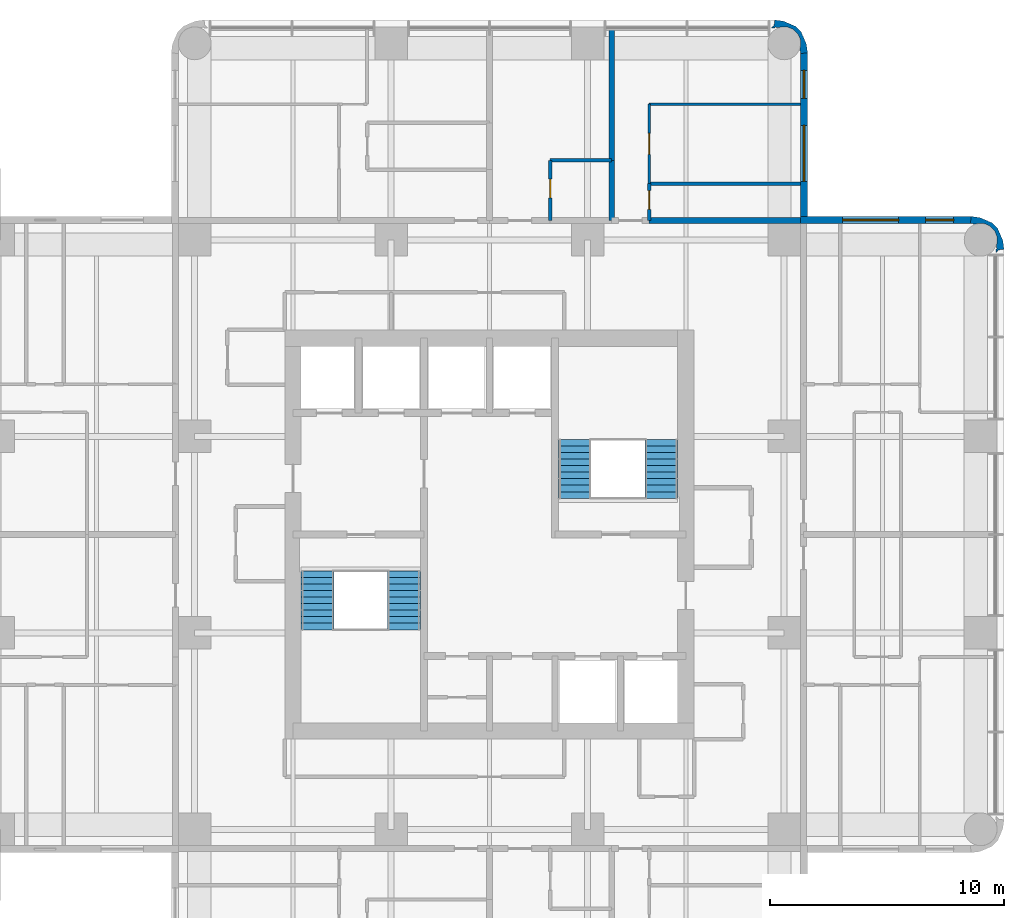
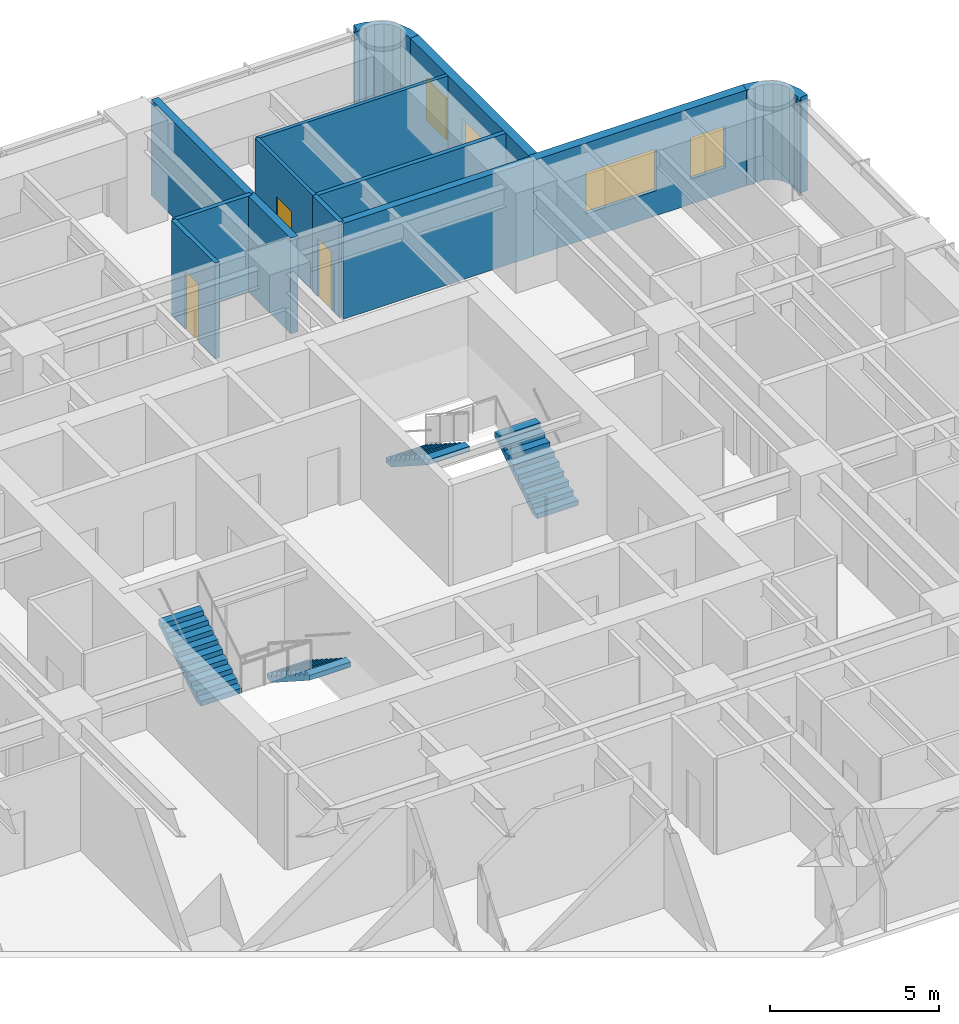
# One storey, part 10 of 11: 13 walls, 4 stair flights, 4 windows, 3 doors, 7 openings, 2 elements without a shape of their own.
"""IFC4 building model written with IfcOpenShell, lengths in metres."""

from ifc_helpers import new_model, si_unit, direction, frame, frame_2d, origin, place, context, subcontext, project, spatial, polyline, rectangle, outline, extrude, material, layer, layer_set, type_object, element, fill, aggregate, save


model = new_model("IFC4")

# Units and contexts
model_context = context("Model", 3, precision=1e-05, world=origin(), true_north=direction((0.0, 1.0)))
body_context = subcontext(model_context, "Body", "Model", "MODEL_VIEW")
ifc_project = project(units=[si_unit("LENGTHUNIT", "METRE"), si_unit("AREAUNIT", "SQUARE_METRE"), si_unit("VOLUMEUNIT", "CUBIC_METRE"), si_unit("PLANEANGLEUNIT", "RADIAN"), si_unit("MASSUNIT", "GRAM", prefix="KILO")], contexts=[model_context])

# Site, building, storey
site_placement = place(None, origin())
site = spatial("IfcSite", under=ifc_project, at=site_placement, CompositionType="ELEMENT")
building_placement = place(site_placement, origin())
building = spatial("IfcBuilding", under=site, at=building_placement, Name="Torre Alcanfor", CompositionType="ELEMENT")
storey_placement = place(building_placement, frame((0.0, 0.0, 204.89990234375)))
storey = spatial("IfcBuildingStorey", under=building, at=storey_placement, Name="L53", CompositionType="ELEMENT", Elevation=204.89990234375)

# Walls
ifc_material_1 = material(Name="Concrete block masonry, hollow blocks NMX-C-404 9 MPa", Category="masonry")
ifc_layer_1 = layer(ifc_material_1, 0.25)
ifc_layer_set_1 = layer_set([ifc_layer_1], Name="Apartment entrance wall 250 EI 60")
wall_type_1 = type_object("IfcWallType", Name="Apartment entrance wall 250 EI 60", PredefinedType="PARTITIONING", material=ifc_layer_set_1)
wall_1_placement = place(storey_placement, frame((36.22900390625, 42.824951171875, 0.0), z_axis=(0.0, 0.0, 1.0), x_axis=(1.0, 0.0, 0.0)))
element("IfcWall", 1, at=wall_1_placement, inside=storey, type_object=wall_type_1, Name="Partition L53-CORR / L53-N2B-BATH", PredefinedType="PARTITIONING", context=body_context, shape_type="SweptSolid", body=[
    extrude(rectangle(XDim=6.470947265625, YDim=0.25, at=frame_2d((3.2353515625, 0.0))), origin(), (0.0, 0.0, 1.0), 3.4501953125),
])
ifc_material_2 = material(Name="Gypsum board on steel studs", Category="steel")
ifc_layer_2 = layer(ifc_material_2, 0.1201171875)
ifc_layer_set_2 = layer_set([ifc_layer_2], Name="Apartment partition 120")
wall_type_2 = type_object("IfcWallType", Name="Apartment partition 120", PredefinedType="PARTITIONING", material=ifc_layer_set_2)
wall_2_placement = place(storey_placement, frame((42.699951171875, 47.800048828125, 0.0), z_axis=(0.0, 0.0, 1.0), x_axis=(-1.0, 0.0, 0.0)))
element("IfcWall", 2, at=wall_2_placement, inside=storey, type_object=wall_type_2, Name="Partition L53-N2B-LIVING / L53-N2B-MASTER", PredefinedType="PARTITIONING", context=body_context, shape_type="SweptSolid", body=[
    extrude(rectangle(XDim=6.470947265625, YDim=0.1201171875, at=frame_2d((3.2353515625, 0.0))), origin(), (0.0, 0.0, 1.0), 3.4501953125),
])

# Wall, opening, door
wall_3_placement = place(storey_placement, frame((36.22900390625, 47.800048828125, 0.0), z_axis=(0.0, 0.0, 1.0), x_axis=(0.0, -1.0, 0.0)))
wall_3 = element("IfcWall", 3, at=wall_3_placement, inside=storey, type_object=wall_type_2, Name="Partition L53-N2B-LIVING / L53-N2B-MASTER", PredefinedType="PARTITIONING", context=body_context, shape_type="SweptSolid", body=[
    extrude(rectangle(XDim=3.400146484375, YDim=0.1201171875, at=frame_2d((1.7001953125, 0.0))), origin(), (0.0, 0.0, 1.0), 3.4501953125),
])
opening_1_placement = place(wall_3_placement, frame((1.25, 0.0, 0.0)))
opening_1 = element("IfcOpeningElement", 4, at=opening_1_placement, cuts=wall_3, Name="Opening D-R1", PredefinedType="OPENING", context=body_context, shape_type="SweptSolid", body=[
    extrude(rectangle(XDim=0.89990234375, YDim=2.10009765625, at=frame_2d((0.449951171875, 1.050048828125))), frame((0.0, 0.070068359375, 0.0), z_axis=(0.0, -1.0, 0.0), x_axis=(1.0, 0.0, 0.0)), (0.0, 0.0, 1.0), 0.14013671875),
])
ifc_material_3 = material(Name="Timber", Category="wood")
door_type_1 = type_object("IfcDoorType", Name="Internal door 900x2100", OperationType="SINGLE_SWING_LEFT", PredefinedType="DOOR", material=ifc_material_3)
door_1_placement = place(opening_1_placement, origin())
door_1 = element("IfcDoor", 5, at=door_1_placement, inside=storey, type_object=door_type_1, Name="Door L53-N2B master", OperationType="SINGLE_SWING_LEFT", OverallHeight=2.10009765625, OverallWidth=0.89990234375, PredefinedType="DOOR", context=body_context, shape_type="SweptSolid", body=[
    extrude(rectangle(XDim=0.89990234375, YDim=2.10009765625, at=frame_2d((0.449951171875, 1.050048828125))), frame((0.0, 0.02490234375, 0.0), z_axis=(0.0, -1.0, 0.0), x_axis=(1.0, 0.0, 0.0)), (0.0, 0.0, 1.0), 0.050048828125),
])
fill(opening_1, door_1)

# Wall, openings, windows
ifc_material_4 = material(Name="Limestone cladding", Category="masonry")
ifc_layer_3 = layer(ifc_material_4, 0.0400390625, Name="Facing")
ifc_material_5 = material(Name="Ventilated air cavity")
ifc_layer_4 = layer(ifc_material_5, 0.02001953125, ventilated=True, Name="Ventilated joint")
ifc_material_6 = material(Name="Mineral wool insulation", Category="insulation")
ifc_layer_5 = layer(ifc_material_6, 0.10009765625, Name="Insulation")
ifc_material_7 = material(Name="Concrete f'c 35 MPa", Category="concrete")
ifc_layer_6 = layer(ifc_material_7, 0.139892578125, Name="Backing")
ifc_layer_set_3 = layer_set([ifc_layer_3, ifc_layer_4, ifc_layer_5, ifc_layer_6], Name="External wall stone-clad 300")
wall_type_3 = type_object("IfcWallType", Name="External wall stone-clad 300", PredefinedType="SOLIDWALL", material=ifc_layer_set_3)
wall_4_placement = place(storey_placement, frame((50.0, 42.85009765625, 0.0), z_axis=(0.0, 0.0, 1.0), x_axis=(-1.0, 0.0, 0.0)))
wall_4 = element("IfcWall", 6, at=wall_4_placement, inside=storey, type_object=wall_type_3, Name="External wall L53 9", PredefinedType="SOLIDWALL", context=body_context, shape_type="SweptSolid", body=[
    extrude(rectangle(XDim=7.300048828125, YDim=0.300048828125, at=frame_2d((3.64990234375, 0.0))), origin(), (0.0, 0.0, 1.0), 3.4501953125),
])
opening_2_placement = place(wall_4_placement, frame((3.10009765625, 0.0, 0.89990234375)))
opening_2 = element("IfcOpeningElement", 7, at=opening_2_placement, cuts=wall_4, Name="Opening W1", PredefinedType="OPENING", context=body_context, shape_type="SweptSolid", body=[
    extrude(rectangle(XDim=2.39990234375, YDim=1.5, at=frame_2d((1.199951171875, 0.75))), frame((0.0, 0.159912109375, 0.0), z_axis=(0.0, -1.0, 0.0), x_axis=(1.0, 0.0, 0.0)), (0.0, 0.0, 1.0), 0.320068359375),
])
opening_3_placement = place(wall_4_placement, frame((0.75, 0.0, 0.89990234375)))
opening_3 = element("IfcOpeningElement", 8, at=opening_3_placement, cuts=wall_4, Name="Opening W4", PredefinedType="OPENING", context=body_context, shape_type="SweptSolid", body=[
    extrude(rectangle(XDim=1.199951171875, YDim=1.5, at=frame_2d((0.60009765625, 0.75))), frame((0.0, 0.159912109375, 0.0), z_axis=(0.0, -1.0, 0.0), x_axis=(1.0, 0.0, 0.0)), (0.0, 0.0, 1.0), 0.320068359375),
])
ifc_material_8 = material(Name="Aluminium frame with clear double glazing", Category="aluminium")
window_type_1 = type_object("IfcWindowType", Name="Window bedroom 1200x1500", PartitioningType="SINGLE_PANEL", PredefinedType="WINDOW", material=ifc_material_8)
window_1_placement = place(opening_3_placement, origin())
window_1 = element("IfcWindow", 9, at=window_1_placement, inside=storey, type_object=window_type_1, Name="Window W4 L53-E1", OverallHeight=1.5, OverallWidth=1.199951171875, PartitioningType="SINGLE_PANEL", PredefinedType="WINDOW", context=body_context, shape_type="SweptSolid", body=[
    extrude(rectangle(XDim=1.199951171875, YDim=1.5, at=frame_2d((0.60009765625, 0.75))), frame((0.0, 0.030029296875, 0.0), z_axis=(0.0, -1.0, 0.0), x_axis=(1.0, 0.0, 0.0)), (0.0, 0.0, 1.0), 0.06005859375),
])
fill(opening_3, window_1)
ifc_material_9 = material(Name="Aluminium frame with clear double glazing", Category="aluminium")
window_type_2 = type_object("IfcWindowType", Name="Window bedroom 2400x1500", PartitioningType="SINGLE_PANEL", PredefinedType="WINDOW", material=ifc_material_9)
window_2_placement = place(opening_2_placement, origin())
window_2 = element("IfcWindow", 10, at=window_2_placement, inside=storey, type_object=window_type_2, Name="Window W1 L53-E1", OverallHeight=1.5, OverallWidth=2.39990234375, PartitioningType="SINGLE_PANEL", PredefinedType="WINDOW", context=body_context, shape_type="SweptSolid", body=[
    extrude(rectangle(XDim=2.39990234375, YDim=1.5, at=frame_2d((1.199951171875, 0.75))), frame((0.0, 0.030029296875, 0.0), z_axis=(0.0, -1.0, 0.0), x_axis=(1.0, 0.0, 0.0)), (0.0, 0.0, 1.0), 0.06005859375),
])
fill(opening_2, window_2)

wall_5_placement = place(storey_placement, frame((42.85009765625, 43.0, 0.0), z_axis=(0.0, 0.0, 1.0), x_axis=(0.0, 1.0, 0.0)))
wall_5 = element("IfcWall", 11, at=wall_5_placement, inside=storey, type_object=wall_type_3, Name="External wall L53 10", PredefinedType="SOLIDWALL", context=body_context, shape_type="SweptSolid", body=[
    extrude(rectangle(XDim=7.0, YDim=0.300048828125, at=frame_2d((3.5, 0.0))), origin(), (0.0, 0.0, 1.0), 3.4501953125),
])
opening_4_placement = place(wall_5_placement, frame((1.5, 0.0, 0.89990234375)))
opening_4 = element("IfcOpeningElement", 12, at=opening_4_placement, cuts=wall_5, Name="Opening W1", PredefinedType="OPENING", context=body_context, shape_type="SweptSolid", body=[
    extrude(rectangle(XDim=2.39990234375, YDim=1.5, at=frame_2d((1.199951171875, 0.75))), frame((0.0, 0.159912109375, 0.0), z_axis=(0.0, -1.0, 0.0), x_axis=(1.0, 0.0, 0.0)), (0.0, 0.0, 1.0), 0.320068359375),
])
opening_5_placement = place(wall_5_placement, frame((5.050048828125, 0.0, 0.89990234375)))
opening_5 = element("IfcOpeningElement", 13, at=opening_5_placement, cuts=wall_5, Name="Opening W4", PredefinedType="OPENING", context=body_context, shape_type="SweptSolid", body=[
    extrude(rectangle(XDim=1.199951171875, YDim=1.5, at=frame_2d((0.60009765625, 0.75))), frame((0.0, 0.159912109375, 0.0), z_axis=(0.0, -1.0, 0.0), x_axis=(1.0, 0.0, 0.0)), (0.0, 0.0, 1.0), 0.320068359375),
])
window_3_placement = place(opening_5_placement, origin())
window_3 = element("IfcWindow", 14, at=window_3_placement, inside=storey, type_object=window_type_1, Name="Window W4 L53-N2", OverallHeight=1.5, OverallWidth=1.199951171875, PartitioningType="SINGLE_PANEL", PredefinedType="WINDOW", context=body_context, shape_type="SweptSolid", body=[
    extrude(rectangle(XDim=1.199951171875, YDim=1.5, at=frame_2d((0.60009765625, 0.75))), frame((0.0, 0.030029296875, 0.0), z_axis=(0.0, -1.0, 0.0), x_axis=(1.0, 0.0, 0.0)), (0.0, 0.0, 1.0), 0.06005859375),
])
fill(opening_5, window_3)
window_4_placement = place(opening_4_placement, origin())
window_4 = element("IfcWindow", 15, at=window_4_placement, inside=storey, type_object=window_type_2, Name="Window W1 L53-N2", OverallHeight=1.5, OverallWidth=2.39990234375, PartitioningType="SINGLE_PANEL", PredefinedType="WINDOW", context=body_context, shape_type="SweptSolid", body=[
    extrude(rectangle(XDim=2.39990234375, YDim=1.5, at=frame_2d((1.199951171875, 0.75))), frame((0.0, 0.030029296875, 0.0), z_axis=(0.0, -1.0, 0.0), x_axis=(1.0, 0.0, 0.0)), (0.0, 0.0, 1.0), 0.06005859375),
])
fill(opening_4, window_4)

# Walls
ifc_material_10 = material(Name="Concrete block masonry, hollow blocks NMX-C-404 9 MPa", Category="masonry")
ifc_layer_7 = layer(ifc_material_10, 0.25)
ifc_layer_set_4 = layer_set([ifc_layer_7], Name="Party wall 250 EI 60")
wall_type_4 = type_object("IfcWallType", Name="Party wall 250 EI 60", PredefinedType="PARTITIONING", material=ifc_layer_set_4)
wall_6_placement = place(storey_placement, frame((34.62890625, 51.050048828125, 0.0), z_axis=(0.0, 0.0, 1.0), x_axis=(0.0, -1.0, 0.0)))
element("IfcWall", 16, at=wall_6_placement, inside=storey, type_object=wall_type_4, Name="Partition L53-N2A-STUDIO / L53-N2B-LIVING", PredefinedType="PARTITIONING", context=body_context, shape_type="SweptSolid", body=[
    extrude(rectangle(XDim=5.650146484375, YDim=0.25, at=frame_2d((2.8251953125, 0.0))), origin(), (0.0, 0.0, 1.0), 3.4501953125),
])
wall_7_placement = place(storey_placement, frame((34.62890625, 45.39990234375, 0.0), z_axis=(0.0, 0.0, 1.0), x_axis=(0.0, -1.0, 0.0)))
element("IfcWall", 17, at=wall_7_placement, inside=storey, type_object=wall_type_4, Name="Partition L53-N2A-BATH / L53-N2B-LIVING", PredefinedType="PARTITIONING", context=body_context, shape_type="SweptSolid", body=[
    extrude(rectangle(XDim=2.574951171875, YDim=0.25, at=frame_2d((1.28759765625, 0.0))), origin(), (0.0, 0.0, 1.0), 3.4501953125),
])
ifc_layer_8 = layer(ifc_material_4, 0.0400390625, Name="Facing")
ifc_layer_9 = layer(ifc_material_5, 0.02001953125, ventilated=True, Name="Ventilated joint")
ifc_layer_10 = layer(ifc_material_6, 0.10009765625, Name="Insulation")
ifc_layer_11 = layer(ifc_material_7, 0.139892578125, Name="Backing")
ifc_layer_set_5 = layer_set([ifc_layer_8, ifc_layer_9, ifc_layer_10, ifc_layer_11], Name="Rounded corner pier stone-clad 300")
wall_type_5 = type_object("IfcWallType", Name="Rounded corner pier stone-clad 300", PredefinedType="SOLIDWALL", material=ifc_layer_set_5)
wall_8_placement = place(storey_placement, frame((50.98815184, 41.487674505, 0.0), z_axis=(0.0, 0.0, 1.0), x_axis=(0.898030234854, 0.439933741929, 0.0)))
element("IfcWall", 18, at=wall_8_placement, inside=storey, type_object=wall_type_5, Name="Corner pier L53 18", PredefinedType="SOLIDWALL", context=body_context, shape_type="SweptSolid", body=[
    extrude(outline(polyline([(0.13762845900144902, -0.0395605783475044), (0.18185793649134802, -0.00033087416050568697), (0.41922313919285215, -0.08018355093564442), (0.535860291835806, 0.2661211239178742), (0.5587746083679793, 0.6308813409414961), (0.5545700157158291, 0.6511558966825934), (0.5663920082639611, 0.8356681075750403), (0.45545119814889223, 1.159160361177863), (0.33312688681130387, 1.297925592490813), (0.32402252373636403, 1.3165225487705126), (0.08234923743790223, 1.5906923948786469), (-0.22206721491752535, 1.7928353560160377), (-0.38958661601048106, 1.540782159618673), (-0.3718277173231749, 1.5320822980229156), (-0.19464371431186422, 1.4142897687749243), (-0.11970407362674929, 1.4096575385515544), (0.13067447329798665, 1.2870002306212465), (0.31526160288378063, 1.0777694581339308), (0.4057356995697948, 0.8140544036891404), (0.38812563637514036, 0.5355946934281371), (0.26546832844483254, 0.28521614650340116), (0.2089867161004748, 0.23540500505176065), (0.14757776297591008, 0.05289210976982966), (0.10504410439149783, 0.07372881532016215), (0.03190082356790798, -0.07557748105089318), (0.13762845900144902, -0.0395605783475044)])), origin(), (0.0, 0.0, 1.0), 3.4501953125),
])
wall_9_placement = place(storey_placement, frame((42.724211819, 50.110315272, 0.0), z_axis=(0.0, 0.0, 1.0), x_axis=(0.439933741929, 0.898030234854, 0.0)))
element("IfcWall", 19, at=wall_9_placement, inside=storey, type_object=wall_type_5, Name="Corner pier L53 19", PredefinedType="SOLIDWALL", context=body_context, shape_type="SweptSolid", body=[
    extrude(outline(polyline([(-0.14525732426811072, -0.04414433895897353), (0.0222620768248451, -0.29619753535633836), (0.3266785291802725, -0.09405457421894756), (0.5683518154787345, 0.1801152718891868), (0.5774561785536743, 0.19871222816888634), (0.6997804898912626, 0.33747745948183633), (0.8107213000063315, 0.6609697130846591), (0.7988993074581994, 0.8454819239771059), (0.8031039001103497, 0.8657564797182034), (0.7801895835781762, 1.2305166967418253), (0.6635524309352225, 1.5768213715953436), (0.42618722823371835, 1.496968694820205), (0.38195775074381944, 1.5361983990072037), (0.2762301153102783, 1.5722153017105926), (0.3493733961338682, 1.4229090053395372), (0.39190705471828047, 1.4437457108898697), (0.45331600784284515, 1.2612328156079387), (0.5097976201872029, 1.2114216741562982), (0.6324549281175107, 0.9610431272315622), (0.6500649913121652, 0.6825834169705589), (0.559590894626151, 0.4188683625257686), (0.37500376504035704, 0.20963759003845278), (0.1246252181156211, 0.08698028210814499), (0.04968557743050611, 0.08234805188477495), (-0.12749842558080457, -0.035444477363216154), (-0.14525732426811072, -0.04414433895897353)])), origin(), (0.0, 0.0, 1.0), 3.4501953125),
])
ifc_material_11 = material(Name="Cement board on steel studs", Category="steel")
ifc_layer_12 = layer(ifc_material_11, 0.14990234375)
ifc_layer_set_6 = layer_set([ifc_layer_12], Name="Wet area partition 150")
wall_type_6 = type_object("IfcWallType", Name="Wet area partition 150", PredefinedType="PARTITIONING", material=ifc_layer_set_6)
wall_10_placement = place(storey_placement, frame((34.62890625, 45.39990234375, 0.0), z_axis=(0.0, 0.0, 1.0), x_axis=(-1.0, 0.0, 0.0)))
element("IfcWall", 20, at=wall_10_placement, inside=storey, type_object=wall_type_6, Name="Partition L53-N2A-STUDIO / L53-N2A-BATH", PredefinedType="PARTITIONING", context=body_context, shape_type="SweptSolid", body=[
    extrude(rectangle(XDim=2.62890625, YDim=0.14990234375, at=frame_2d((1.314453125, 0.0))), origin(), (0.0, 0.0, 1.0), 3.4501953125),
])

# Wall, opening, door
wall_11_placement = place(storey_placement, frame((32.0, 45.39990234375, 0.0), z_axis=(0.0, 0.0, 1.0), x_axis=(0.0, -1.0, 0.0)))
wall_11 = element("IfcWall", 21, at=wall_11_placement, inside=storey, type_object=wall_type_6, Name="Partition L53-N2A-STUDIO / L53-N2A-BATH", PredefinedType="PARTITIONING", context=body_context, shape_type="SweptSolid", body=[
    extrude(rectangle(XDim=2.574951171875, YDim=0.14990234375, at=frame_2d((1.28759765625, 0.0))), origin(), (0.0, 0.0, 1.0), 3.4501953125),
])
opening_6_placement = place(wall_11_placement, frame((0.800048828125, 0.0, 0.0)))
opening_6 = element("IfcOpeningElement", 22, at=opening_6_placement, cuts=wall_11, Name="Opening D-R2", PredefinedType="OPENING", context=body_context, shape_type="SweptSolid", body=[
    extrude(rectangle(XDim=0.800048828125, YDim=2.10009765625, at=frame_2d((0.39990234375, 1.050048828125))), frame((0.0, 0.0849609375, 0.0), z_axis=(0.0, -1.0, 0.0), x_axis=(1.0, 0.0, 0.0)), (0.0, 0.0, 1.0), 0.169921875),
])
ifc_material_12 = material(Name="Timber", Category="wood")
door_type_2 = type_object("IfcDoorType", Name="Bathroom door 800x2100", OperationType="SINGLE_SWING_LEFT", PredefinedType="DOOR", material=ifc_material_12)
door_2_placement = place(opening_6_placement, origin())
door_2 = element("IfcDoor", 23, at=door_2_placement, inside=storey, type_object=door_type_2, Name="Door L53-N2A bath", OperationType="SINGLE_SWING_LEFT", OverallHeight=2.10009765625, OverallWidth=0.800048828125, PredefinedType="DOOR", context=body_context, shape_type="SweptSolid", body=[
    extrude(rectangle(XDim=0.800048828125, YDim=2.10009765625, at=frame_2d((0.39990234375, 1.050048828125))), frame((0.0, 0.02490234375, 0.0), z_axis=(0.0, -1.0, 0.0), x_axis=(1.0, 0.0, 0.0)), (0.0, 0.0, 1.0), 0.050048828125),
])
fill(opening_6, door_2)

wall_12_placement = place(storey_placement, frame((36.22900390625, 44.39990234375, 0.0), z_axis=(0.0, 0.0, 1.0), x_axis=(0.0, -1.0, 0.0)))
wall_12 = element("IfcWall", 24, at=wall_12_placement, inside=storey, type_object=wall_type_6, Name="Partition L53-N2B-LIVING / L53-N2B-BATH", PredefinedType="PARTITIONING", context=body_context, shape_type="SweptSolid", body=[
    extrude(rectangle(XDim=1.574951171875, YDim=0.14990234375, at=frame_2d((0.78759765625, 0.0))), origin(), (0.0, 0.0, 1.0), 3.4501953125),
])
opening_7_placement = place(wall_12_placement, frame((0.300048828125, 0.0, 0.0)))
opening_7 = element("IfcOpeningElement", 25, at=opening_7_placement, cuts=wall_12, Name="Opening D-R2", PredefinedType="OPENING", context=body_context, shape_type="SweptSolid", body=[
    extrude(rectangle(XDim=0.800048828125, YDim=2.10009765625, at=frame_2d((0.39990234375, 1.050048828125))), frame((0.0, 0.0849609375, 0.0), z_axis=(0.0, -1.0, 0.0), x_axis=(1.0, 0.0, 0.0)), (0.0, 0.0, 1.0), 0.169921875),
])
door_3_placement = place(opening_7_placement, origin())
door_3 = element("IfcDoor", 26, at=door_3_placement, inside=storey, type_object=door_type_2, Name="Door L53-N2B bath", OperationType="SINGLE_SWING_LEFT", OverallHeight=2.10009765625, OverallWidth=0.800048828125, PredefinedType="DOOR", context=body_context, shape_type="SweptSolid", body=[
    extrude(rectangle(XDim=0.800048828125, YDim=2.10009765625, at=frame_2d((0.39990234375, 1.050048828125))), frame((0.0, 0.02490234375, 0.0), z_axis=(0.0, -1.0, 0.0), x_axis=(1.0, 0.0, 0.0)), (0.0, 0.0, 1.0), 0.050048828125),
])
fill(opening_7, door_3)

# Wall
wall_13_placement = place(storey_placement, frame((36.22900390625, 44.39990234375, 0.0), z_axis=(0.0, 0.0, 1.0), x_axis=(1.0, 0.0, 0.0)))
element("IfcWall", 27, at=wall_13_placement, inside=storey, type_object=wall_type_6, Name="Partition L53-N2B-BATH / L53-N2B-MASTER", PredefinedType="PARTITIONING", context=body_context, shape_type="SweptSolid", body=[
    extrude(rectangle(XDim=6.470947265625, YDim=0.14990234375, at=frame_2d((3.2353515625, 0.0))), origin(), (0.0, 0.0, 1.0), 3.4501953125),
])

# Stair, stair flights
ifc_material_13 = material(Name="Concrete f'c 35 MPa", Category="concrete")
stair_type_1 = type_object("IfcStairType", Name="Exit stair S1 1400 wide", PredefinedType="HALF_TURN_STAIR", material=ifc_material_13)
stair_1_placement = place(storey_placement, origin())
stair_1 = element("IfcStair", 28, at=stair_1_placement, inside=storey, type_object=stair_type_1, Name="Stair S1 L53 to L54", PredefinedType="HALF_TURN_STAIR")
ifc_material_14 = material(Name="Concrete f'c 35 MPa", Category="concrete")
stair_flight_type = type_object("IfcStairFlightType", Name="Stair flight 1400", PredefinedType="STRAIGHT", material=ifc_material_14)
stair_flight_1_placement = place(storey_placement, frame((25.75, 27.85009765625, 0.0), z_axis=(0.0, 0.0, 1.0), x_axis=(0.0, -1.0, 0.0)))
stair_flight_1 = element("IfcStairFlight", 29, at=stair_flight_1_placement, type_object=stair_flight_type, Name="S1 flight 1", NumberOfRisers=10, NumberOfTreads=9, PredefinedType="STRAIGHT", RiserHeight=0.18, TreadLength=0.28, context=body_context, shape_type="SweptSolid", body=[
    extrude(outline(polyline([(0.0, 0.0), (0.0, 0.179931640625), (0.280029296875, 0.179931640625), (0.280029296875, 0.360107421875), (0.56005859375, 0.360107421875), (0.56005859375, 0.5400390625), (0.840087890625, 0.5400390625), (0.840087890625, 0.719970703125), (1.1201171875, 0.719970703125), (1.1201171875, 0.89990234375), (1.39990234375, 0.89990234375), (1.39990234375, 1.080078125), (1.679931640625, 1.080078125), (1.679931640625, 1.260009765625), (1.9599609375, 1.260009765625), (1.9599609375, 1.43994140625), (2.239990234375, 1.43994140625), (2.239990234375, 1.6201171875), (2.52001953125, 1.6201171875), (2.52001953125, 1.800048828125), (2.52001953125, 1.44189453125), (0.277099609375, 0.0), (0.0, 0.0)])), frame((0.0, 0.699951171875, 0.0), z_axis=(0.0, -1.0, 0.0), x_axis=(1.0, 0.0, 0.0)), (0.0, 0.0, 1.0), 1.39990234375),
])
stair_flight_2_placement = place(storey_placement, frame((22.050048828125, 25.330078125, 1.800048828125), z_axis=(0.0, 0.0, 1.0), x_axis=(0.0, 1.0, 0.0)))
stair_flight_2 = element("IfcStairFlight", 30, at=stair_flight_2_placement, type_object=stair_flight_type, Name="S1 flight 2", NumberOfRisers=10, NumberOfTreads=9, PredefinedType="STRAIGHT", RiserHeight=0.18, TreadLength=0.28, context=body_context, shape_type="SweptSolid", body=[
    extrude(outline(polyline([(0.0, 0.0), (0.0, 0.179931640625), (0.280029296875, 0.179931640625), (0.280029296875, 0.360107421875), (0.56005859375, 0.360107421875), (0.56005859375, 0.5400390625), (0.840087890625, 0.5400390625), (0.840087890625, 0.719970703125), (1.1201171875, 0.719970703125), (1.1201171875, 0.89990234375), (1.39990234375, 0.89990234375), (1.39990234375, 1.080078125), (1.679931640625, 1.080078125), (1.679931640625, 1.260009765625), (1.9599609375, 1.260009765625), (1.9599609375, 1.43994140625), (2.239990234375, 1.43994140625), (2.239990234375, 1.6201171875), (2.52001953125, 1.6201171875), (2.52001953125, 1.800048828125), (2.52001953125, 1.44189453125), (0.277099609375, 0.0), (0.0, 0.0)])), frame((0.0, 0.699951171875, 0.0), z_axis=(0.0, -1.0, 0.0), x_axis=(1.0, 0.0, 0.0)), (0.0, 0.0, 1.0), 1.39990234375),
])
aggregate(stair_1, [stair_flight_1, stair_flight_2])

ifc_material_15 = material(Name="Concrete f'c 35 MPa", Category="concrete")
stair_type_2 = type_object("IfcStairType", Name="Exit stair S2 1400 wide", PredefinedType="HALF_TURN_STAIR", material=ifc_material_15)
stair_2_placement = place(storey_placement, origin())
stair_2 = element("IfcStair", 31, at=stair_2_placement, inside=storey, type_object=stair_type_2, Name="Stair S2 L53 to L54", PredefinedType="HALF_TURN_STAIR")
stair_flight_3_placement = place(storey_placement, frame((36.75, 30.949951171875, 0.0), z_axis=(0.0, 0.0, 1.0), x_axis=(0.0, 1.0, 0.0)))
stair_flight_3 = element("IfcStairFlight", 32, at=stair_flight_3_placement, type_object=stair_flight_type, Name="S2 flight 1", NumberOfRisers=10, NumberOfTreads=9, PredefinedType="STRAIGHT", RiserHeight=0.18, TreadLength=0.28, context=body_context, shape_type="SweptSolid", body=[
    extrude(outline(polyline([(0.0, 0.0), (0.0, 0.179931640625), (0.280029296875, 0.179931640625), (0.280029296875, 0.360107421875), (0.56005859375, 0.360107421875), (0.56005859375, 0.5400390625), (0.840087890625, 0.5400390625), (0.840087890625, 0.719970703125), (1.1201171875, 0.719970703125), (1.1201171875, 0.89990234375), (1.39990234375, 0.89990234375), (1.39990234375, 1.080078125), (1.679931640625, 1.080078125), (1.679931640625, 1.260009765625), (1.9599609375, 1.260009765625), (1.9599609375, 1.43994140625), (2.239990234375, 1.43994140625), (2.239990234375, 1.6201171875), (2.52001953125, 1.6201171875), (2.52001953125, 1.800048828125), (2.52001953125, 1.44189453125), (0.277099609375, 0.0), (0.0, 0.0)])), frame((0.0, 0.699951171875, 0.0), z_axis=(0.0, -1.0, 0.0), x_axis=(1.0, 0.0, 0.0)), (0.0, 0.0, 1.0), 1.39990234375),
])
stair_flight_4_placement = place(storey_placement, frame((33.050048828125, 33.469970703125, 1.800048828125), z_axis=(0.0, 0.0, 1.0), x_axis=(0.0, -1.0, 0.0)))
stair_flight_4 = element("IfcStairFlight", 33, at=stair_flight_4_placement, type_object=stair_flight_type, Name="S2 flight 2", NumberOfRisers=10, NumberOfTreads=9, PredefinedType="STRAIGHT", RiserHeight=0.18, TreadLength=0.28, context=body_context, shape_type="SweptSolid", body=[
    extrude(outline(polyline([(0.0, 0.0), (0.0, 0.179931640625), (0.280029296875, 0.179931640625), (0.280029296875, 0.360107421875), (0.56005859375, 0.360107421875), (0.56005859375, 0.5400390625), (0.840087890625, 0.5400390625), (0.840087890625, 0.719970703125), (1.1201171875, 0.719970703125), (1.1201171875, 0.89990234375), (1.39990234375, 0.89990234375), (1.39990234375, 1.080078125), (1.679931640625, 1.080078125), (1.679931640625, 1.260009765625), (1.9599609375, 1.260009765625), (1.9599609375, 1.43994140625), (2.239990234375, 1.43994140625), (2.239990234375, 1.6201171875), (2.52001953125, 1.6201171875), (2.52001953125, 1.800048828125), (2.52001953125, 1.44189453125), (0.277099609375, 0.0), (0.0, 0.0)])), frame((0.0, 0.699951171875, 0.0), z_axis=(0.0, -1.0, 0.0), x_axis=(1.0, 0.0, 0.0)), (0.0, 0.0, 1.0), 1.39990234375),
])
aggregate(stair_2, [stair_flight_3, stair_flight_4])

save(model, "model.ifc")
